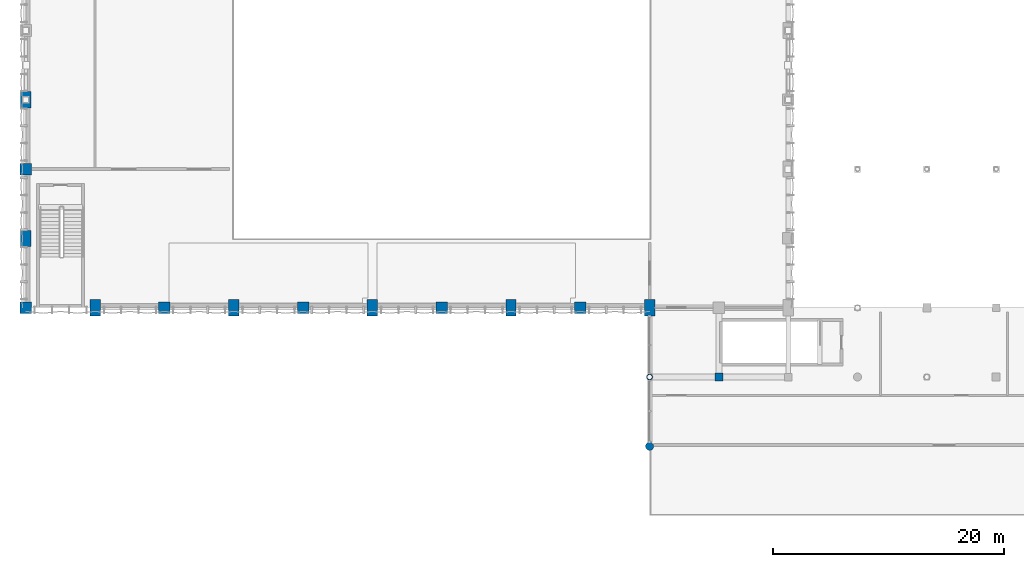
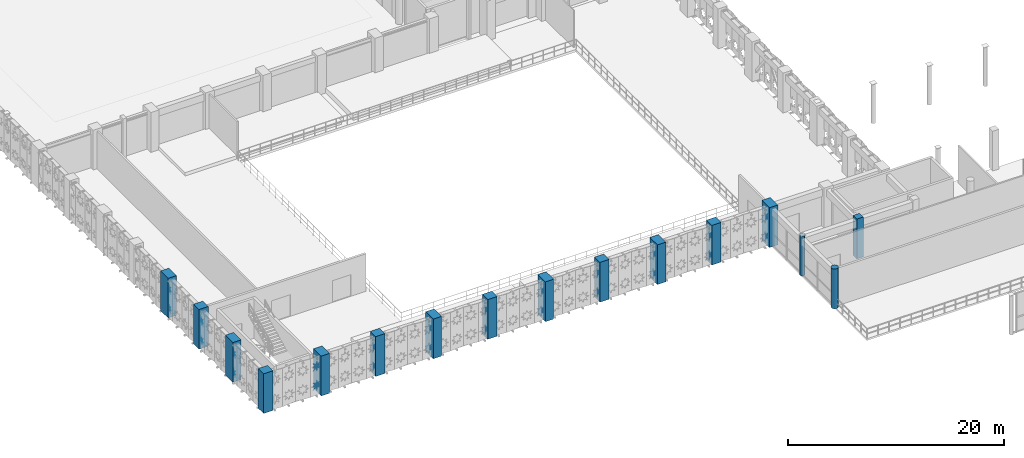
# One storey, part 1 of 116: 16 columns.
"""IFC4 building model written with IfcOpenShell, lengths in metres."""

from ifc_helpers import new_model, si_unit, direction, frame, origin, origin_2d, place, context, subcontext, project, spatial, rectangle, circle, hollow_circle, extrude, material, material_profile, profile_set, type_object, element, save


model = new_model("IFC4")

# Units and contexts
model_context = context("Model", 3, precision=1e-05, world=origin(), true_north=direction((0.0, 1.0)))
body_context = subcontext(model_context, "Body", "Model", "MODEL_VIEW")
ifc_project = project(units=[si_unit("LENGTHUNIT", "METRE"), si_unit("AREAUNIT", "SQUARE_METRE"), si_unit("VOLUMEUNIT", "CUBIC_METRE"), si_unit("PLANEANGLEUNIT", "RADIAN"), si_unit("MASSUNIT", "GRAM", prefix="KILO"), si_unit("THERMODYNAMICTEMPERATUREUNIT", "KELVIN"), si_unit("POWERUNIT", "WATT")], contexts=[model_context])

# Site, building, storey
site_placement = place(None, origin())
site = spatial("IfcSite", under=ifc_project, at=site_placement, CompositionType="ELEMENT")
building_placement = place(site_placement, origin())
building = spatial("IfcBuilding", under=site, at=building_placement, Name="Phaisarnlok Congress Hotel", CompositionType="ELEMENT")
storey_placement = place(building_placement, frame((0.0, 0.0, 10.5)))
storey = spatial("IfcBuildingStorey", under=building, at=storey_placement, Name="L02", CompositionType="ELEMENT", Elevation=10.5)

# Columns
ifc_material_1 = material(Name="Concrete C50/60", Category="concrete")
ifc_material_profile_1 = material_profile(ifc_material_1, rectangle(XDim=1.0, YDim=1.0, at=origin_2d()), Name="RC 1000x1000")
ifc_profile_set_1 = profile_set([ifc_material_profile_1], Name="Concrete C50/60")
column_type_1 = type_object("IfcColumnType", Name="COL-RC-1000", PredefinedType="COLUMN", material=ifc_profile_set_1)
for number, where, z_axis, x_axis, name in (
    (1, (12.0, 42.0, 0.0), (0.0, 0.0, 1.0), (1.0, 0.0, 0.0), "Column C-09 (L02)"),
    (2, (24.0, 42.0, 0.0), (0.0, 0.0, 1.0), (1.0, 0.0, 0.0), "Column C-09 (L02)"),
    (3, (36.0, 42.0, 0.0), (0.0, 0.0, 1.0), (1.0, 0.0, 0.0), "Column C-09 (L02)"),
    (4, (48.0, 42.0, 0.0), (0.0, 0.0, 1.0), (1.0, 0.0, 0.0), "Column C-09 (L02)"),
):
    element("IfcColumn", number, at=place(storey_placement, frame(where, z_axis=z_axis, x_axis=x_axis)), inside=storey, type_object=column_type_1, Name=name, PredefinedType="COLUMN", context=body_context, shape_type="SweptSolid", body=[
        extrude(rectangle(XDim=1.0, YDim=1.0, at=origin_2d()), origin(), (0.0, 0.0, 1.0), 4.5),
    ])
ifc_material_profile_2 = material_profile(ifc_material_1, rectangle(XDim=1.0, YDim=1.0, at=origin_2d()), Name="RC 1000x1000")
ifc_profile_set_2 = profile_set([ifc_material_profile_2], Name="Concrete C50/60")
column_type_2 = type_object("IfcColumnType", Name="COL-RC-1000-EXT", PredefinedType="COLUMN", material=ifc_profile_set_2)
for number, where, z_axis, x_axis, name in (
    (5, (0.0, 42.0, 0.0), (0.0, 0.0, 1.0), (1.0, 0.0, 0.0), "Column C-09E (L02)"),
    (6, (0.0, 54.0, 0.0), (0.0, 0.0, 1.0), (1.0, 0.0, 0.0), "Column C-09E (L02)"),
):
    element("IfcColumn", number, at=place(storey_placement, frame(where, z_axis=z_axis, x_axis=x_axis)), inside=storey, type_object=column_type_2, Name=name, PredefinedType="COLUMN", context=body_context, shape_type="SweptSolid", body=[
        extrude(rectangle(XDim=1.0, YDim=1.0, at=origin_2d()), origin(), (0.0, 0.0, 1.0), 4.5),
    ])
ifc_material_profile_3 = material_profile(ifc_material_1, rectangle(XDim=0.699951171875, YDim=0.699951171875, at=origin_2d()), Name="RC 700x700")
ifc_profile_set_3 = profile_set([ifc_material_profile_3], Name="Concrete C50/60")
column_type_3 = type_object("IfcColumnType", Name="COL-RC-700", PredefinedType="COLUMN", material=ifc_profile_set_3)
column_1_placement = place(storey_placement, frame((60.0, 36.0, 0.0), z_axis=(0.0, 0.0, 1.0), x_axis=(1.0, 0.0, 0.0)))
element("IfcColumn", 7, at=column_1_placement, inside=storey, type_object=column_type_3, Name="Column C-05 (L02)", PredefinedType="COLUMN", context=body_context, shape_type="SweptSolid", body=[
    extrude(rectangle(XDim=0.699951171875, YDim=0.699951171875, at=origin_2d()), origin(), (0.0, 0.0, 1.0), 4.5),
])
ifc_material_profile_4 = material_profile(ifc_material_1, rectangle(XDim=0.89990234375, YDim=1.39990234375, at=origin_2d()), Name="RC 900x1400")
ifc_profile_set_4 = profile_set([ifc_material_profile_4], Name="Concrete C50/60")
column_type_4 = type_object("IfcColumnType", Name="COL-RC-900x1400", PredefinedType="COLUMN", material=ifc_profile_set_4)
for number, where, z_axis, x_axis, name in (
    (8, (6.0, 42.0, 0.0), (0.0, 0.0, 1.0), (1.0, 0.0, 0.0), "Column C-12 (L02)"),
    (9, (18.0, 42.0, 0.0), (0.0, 0.0, 1.0), (1.0, 0.0, 0.0), "Column C-12 (L02)"),
    (10, (30.0, 42.0, 0.0), (0.0, 0.0, 1.0), (1.0, 0.0, 0.0), "Column C-12 (L02)"),
    (11, (42.0, 42.0, 0.0), (0.0, 0.0, 1.0), (1.0, 0.0, 0.0), "Column C-12 (L02)"),
    (12, (54.0, 42.0, 0.0), (0.0, 0.0, 1.0), (1.0, 0.0, 0.0), "Column C-12 (L02)"),
):
    element("IfcColumn", number, at=place(storey_placement, frame(where, z_axis=z_axis, x_axis=x_axis)), inside=storey, type_object=column_type_4, Name=name, PredefinedType="COLUMN", context=body_context, shape_type="SweptSolid", body=[
        extrude(rectangle(XDim=0.89990234375, YDim=1.39990234375, at=origin_2d()), origin(), (0.0, 0.0, 1.0), 4.5),
    ])
ifc_material_profile_5 = material_profile(ifc_material_1, rectangle(XDim=0.89990234375, YDim=1.39990234375, at=origin_2d()), Name="RC 900x1400")
ifc_profile_set_5 = profile_set([ifc_material_profile_5], Name="Concrete C50/60")
column_type_5 = type_object("IfcColumnType", Name="COL-RC-900x1400-EXT", PredefinedType="COLUMN", material=ifc_profile_set_5)
for number, where, z_axis, x_axis, name in (
    (13, (0.0, 48.0, 0.0), (0.0, 0.0, 1.0), (1.0, 0.0, 0.0), "Column C-12E (L02)"),
    (14, (0.0, 60.0, 0.0), (0.0, 0.0, 1.0), (1.0, 0.0, 0.0), "Column C-12E (L02)"),
):
    element("IfcColumn", number, at=place(storey_placement, frame(where, z_axis=z_axis, x_axis=x_axis)), inside=storey, type_object=column_type_5, Name=name, PredefinedType="COLUMN", context=body_context, shape_type="SweptSolid", body=[
        extrude(rectangle(XDim=0.89990234375, YDim=1.39990234375, at=origin_2d()), origin(), (0.0, 0.0, 1.0), 4.5),
    ])
ifc_material_profile_6 = material_profile(ifc_material_1, circle(Radius=0.35009765625, at=origin_2d()), Name="RCC D700")
ifc_profile_set_6 = profile_set([ifc_material_profile_6], Name="Concrete C50/60")
column_type_6 = type_object("IfcColumnType", Name="COL-RCC-700", PredefinedType="COLUMN", material=ifc_profile_set_6)
column_2_placement = place(storey_placement, frame((54.0, 30.0, 0.0), z_axis=(0.0, 0.0, 1.0), x_axis=(1.0, 0.0, 0.0)))
element("IfcColumn", 15, at=column_2_placement, inside=storey, type_object=column_type_6, Name="Column C-13 (L02)", PredefinedType="COLUMN", context=body_context, shape_type="SweptSolid", body=[
    extrude(circle(Radius=0.35009765625, at=origin_2d()), origin(), (0.0, 0.0, 1.0), 4.5),
])
ifc_material_2 = material(Name="Steel S355", Category="steel")
ifc_material_profile_7 = material_profile(ifc_material_2, hollow_circle(Radius=0.25390625, WallThickness=0.02490234375, at=origin_2d()), Name="CHS 508x25")
ifc_profile_set_7 = profile_set([ifc_material_profile_7], Name="Steel S355")
column_type_7 = type_object("IfcColumnType", Name="COL-STL-CHS508", PredefinedType="COLUMN", material=ifc_profile_set_7)
column_3_placement = place(storey_placement, frame((54.0, 36.0, 0.0), z_axis=(0.0, 0.0, 1.0), x_axis=(1.0, 0.0, 0.0)))
element("IfcColumn", 16, at=column_3_placement, inside=storey, type_object=column_type_7, Name="Column SC-03 (L02)", PredefinedType="COLUMN", context=body_context, shape_type="SweptSolid", body=[
    extrude(hollow_circle(Radius=0.25390625, WallThickness=0.02490234375, at=origin_2d()), origin(), (0.0, 0.0, 1.0), 4.5),
])

save(model, "model.ifc")
